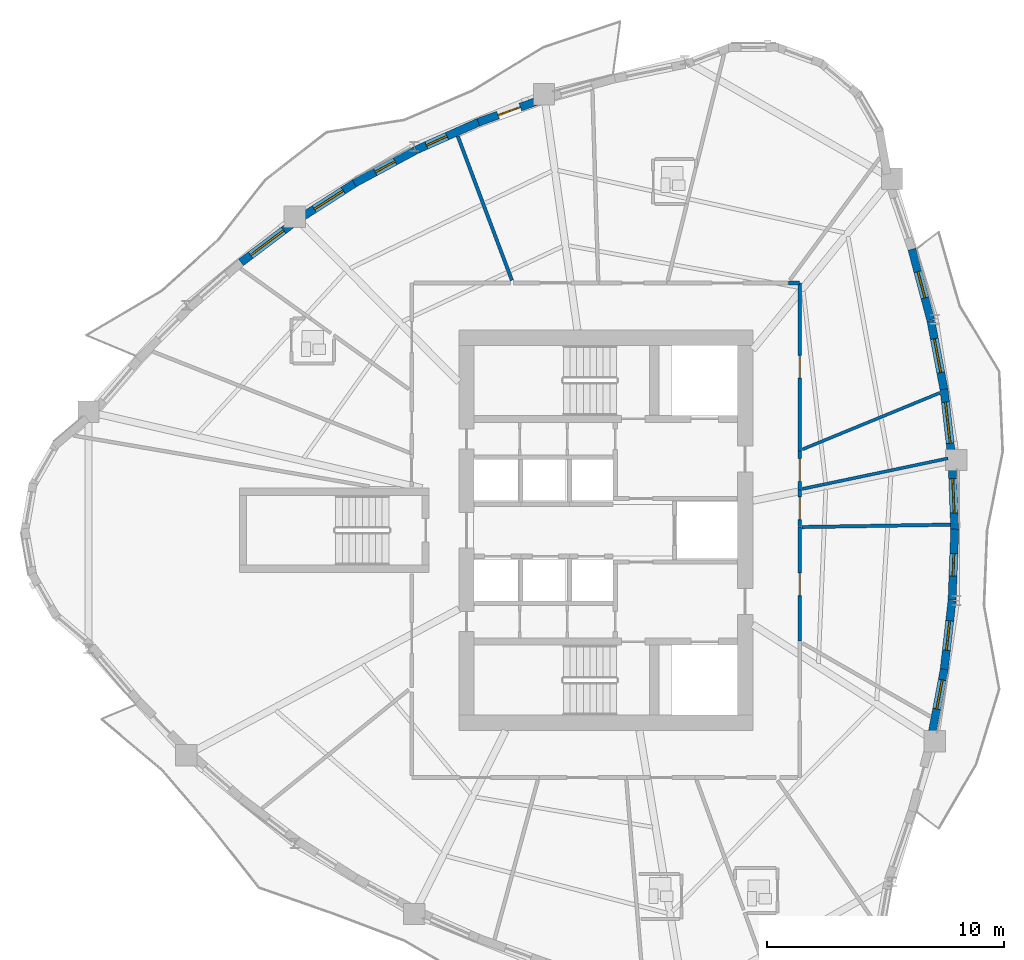
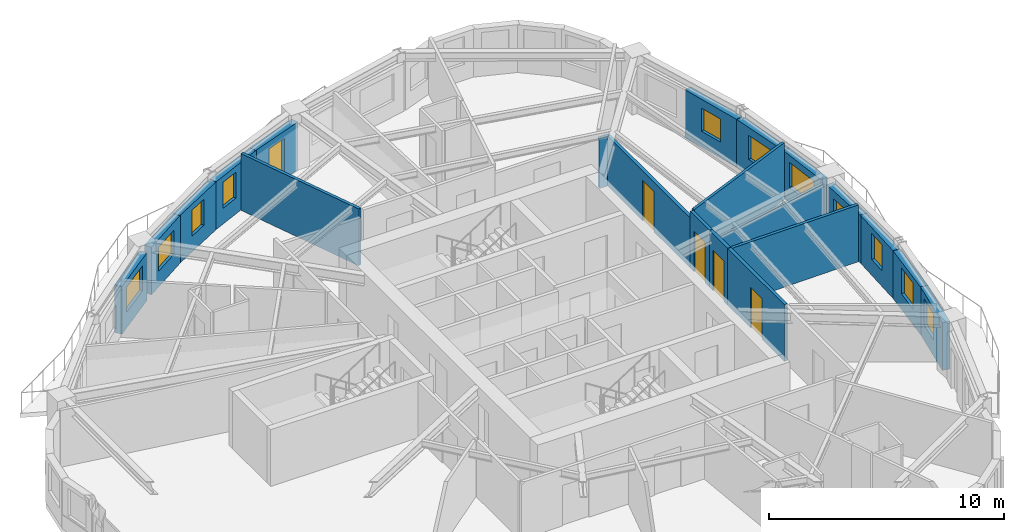
# One storey, part 7 of 12: 21 walls, 11 windows, 5 doors, 16 openings.
"""IFC4 building model written with IfcOpenShell, lengths in metres."""

from ifc_helpers import new_model, si_unit, direction, frame, frame_2d, origin, place, context, subcontext, project, spatial, rectangle, extrude, source, transform, mapped, material, layer, layer_set, type_object, element, fill, save


model = new_model("IFC4")

# Units and contexts
model_context = context("Model", 3, precision=1e-05, world=origin(), true_north=direction((0.0, 1.0)))
body_context = subcontext(model_context, "Body", "Model", "MODEL_VIEW")
ifc_project = project(units=[si_unit("LENGTHUNIT", "METRE"), si_unit("AREAUNIT", "SQUARE_METRE"), si_unit("VOLUMEUNIT", "CUBIC_METRE"), si_unit("PLANEANGLEUNIT", "RADIAN"), si_unit("MASSUNIT", "GRAM", prefix="KILO")], contexts=[model_context])

# Site, building, storey
site_placement = place(None, origin())
site = spatial("IfcSite", under=ifc_project, at=site_placement, CompositionType="ELEMENT")
building_placement = place(site_placement, origin())
building = spatial("IfcBuilding", under=site, at=building_placement, Name="Qafzar Sky-Pleat Residences", CompositionType="ELEMENT")
storey_placement = place(building_placement, frame((0.0, 0.0, 121.60009765625)))
storey = spatial("IfcBuildingStorey", under=building, at=storey_placement, Name="L36", CompositionType="ELEMENT", Elevation=121.60009765625)

# Wall, opening, door
ifc_material_1 = material(Name="Acoustic gypsum plasterboard partition", Category="gypsum")
ifc_layer_1 = layer(ifc_material_1, 0.159912109375)
ifc_layer_set_1 = layer_set([ifc_layer_1], Name="Acoustic gypsum plasterboard partition")
wall_type_1 = type_object("IfcWallType", Name="PART-COR-160", PredefinedType="PARTITIONING", material=ifc_layer_set_1)
wall_1_placement = place(storey_placement, frame((38.530029296875, 36.429931640625, 0.0), z_axis=(0.0, 0.0, 1.0), x_axis=(0.0, -1.0, 0.0)))
wall_1 = element("IfcWall", 1, at=wall_1_placement, inside=storey, type_object=wall_type_1, Name="L36 Partition Wall PART-L36-PW-001", PredefinedType="PARTITIONING", context=body_context, shape_type="SweptSolid", body=[
    extrude(rectangle(XDim=7.0830078125, YDim=0.159912109375, at=frame_2d((3.54150390625, 0.0))), origin(), (0.0, 0.0, 1.0), 2.587890625),
])
opening_1_placement = place(wall_1_placement, frame((3.052978515625, 0.0, 0.0)))
opening_1 = element("IfcOpeningElement", 2, at=opening_1_placement, cuts=wall_1, Name="Opening ID-06", PredefinedType="OPENING", context=body_context, shape_type="SweptSolid", body=[
    extrude(rectangle(XDim=0.9599609375, YDim=2.10009765625, at=frame_2d((0.47998046875, 1.050048828125))), frame((0.0, 0.08984375, 0.0), z_axis=(0.0, -1.0, 0.0), x_axis=(1.0, 0.0, 0.0)), (0.0, 0.0, 1.0), 0.179931640625),
])
ifc_material_2 = material(Name="Timber-faced fire door", Category="wood")
door_type_1 = type_object("IfcDoorType", Name="DR-STD-960", OperationType="NOTDEFINED", PredefinedType="DOOR", material=ifc_material_2)
shared_shape_1 = source(origin(), body_context, "Body", "SweptSolid", [
    extrude(rectangle(XDim=0.9599609375, YDim=2.10009765625, at=frame_2d((0.47998046875, 1.050048828125))), frame((0.0, 0.02490234375, 0.0), z_axis=(0.0, -1.0, 0.0), x_axis=(1.0, 0.0, 0.0)), (0.0, 0.0, 1.0), 0.050048828125),
])
door_1_placement = place(opening_1_placement, origin())
door_1 = element("IfcDoor", 3, at=door_1_placement, inside=storey, type_object=door_type_1, Name="L36 Reading Library Door", OperationType="SINGLE_SWING_LEFT", OverallHeight=2.10009765625, OverallWidth=0.9599609375, PredefinedType="DOOR", context=body_context, shape_type="MappedRepresentation", body=[
    mapped(shared_shape_1, transform((0.0, 0.0, 0.0), x_axis=(1.0, 0.0, 0.0), y_axis=(0.0, 1.0, 0.0), z_axis=(0.0, 0.0, 1.0), scale=1.0)),
])
fill(opening_1, door_1)

wall_2_placement = place(storey_placement, frame((38.530029296875, 26.14697265625, 0.0), z_axis=(0.0, 0.0, 1.0), x_axis=(0.0, -1.0, 0.0)))
wall_2 = element("IfcWall", 4, at=wall_2_placement, inside=storey, type_object=wall_type_1, Name="L36 Partition Wall PART-L36-PW-006", PredefinedType="PARTITIONING", context=body_context, shape_type="SweptSolid", body=[
    extrude(rectangle(XDim=4.81103515625, YDim=0.159912109375, at=frame_2d((2.405517578125, 0.0))), origin(), (0.0, 0.0, 1.0), 2.949951171875),
])
opening_2_placement = place(wall_2_placement, frame((1.948974609375, 0.0, 0.0)))
opening_2 = element("IfcOpeningElement", 5, at=opening_2_placement, cuts=wall_2, Name="Opening ID-06", PredefinedType="OPENING", context=body_context, shape_type="SweptSolid", body=[
    extrude(rectangle(XDim=0.9599609375, YDim=2.10009765625, at=frame_2d((0.47998046875, 1.050048828125))), frame((0.0, 0.08984375, 0.0), z_axis=(0.0, -1.0, 0.0), x_axis=(1.0, 0.0, 0.0)), (0.0, 0.0, 1.0), 0.179931640625),
])
door_2_placement = place(opening_2_placement, origin())
door_2 = element("IfcDoor", 6, at=door_2_placement, inside=storey, type_object=door_type_1, Name="L36 Media Screening Room Door", OperationType="SINGLE_SWING_LEFT", OverallHeight=2.10009765625, OverallWidth=0.9599609375, PredefinedType="DOOR", context=body_context, shape_type="MappedRepresentation", body=[
    mapped(shared_shape_1, transform((0.0, 0.0, 0.0), x_axis=(1.0, 0.0, 0.0), y_axis=(0.0, 1.0, 0.0), z_axis=(0.0, 0.0, 1.0), scale=1.0)),
])
fill(opening_2, door_2)

wall_3_placement = place(storey_placement, frame((38.530029296875, 29.33203125, 0.0), z_axis=(0.0, 0.0, 1.0), x_axis=(0.0, -1.0, 0.0)))
wall_3 = element("IfcWall", 7, at=wall_3_placement, inside=storey, type_object=wall_type_1, Name="L36 Partition Wall PART-L36-PW-018", PredefinedType="PARTITIONING", context=body_context, shape_type="SweptSolid", body=[
    extrude(rectangle(XDim=1.629150390625, YDim=0.159912109375, at=frame_2d((0.814453125, 0.0))), origin(), (0.0, 0.0, 1.0), 2.949951171875),
])
opening_3_placement = place(wall_3_placement, frame((0.31591796875, 0.0, 0.0)))
opening_3 = element("IfcOpeningElement", 8, at=opening_3_placement, cuts=wall_3, Name="Opening ID-08", PredefinedType="OPENING", context=body_context, shape_type="SweptSolid", body=[
    extrude(rectangle(XDim=0.949951171875, YDim=2.10009765625, at=frame_2d((0.47509765625, 1.050048828125))), frame((0.0, 0.08984375, 0.0), z_axis=(0.0, -1.0, 0.0), x_axis=(1.0, 0.0, 0.0)), (0.0, 0.0, 1.0), 0.179931640625),
])
door_type_2 = type_object("IfcDoorType", Name="DR-AWC-950", OperationType="NOTDEFINED", PredefinedType="DOOR", material=ifc_material_2)
shared_shape_2 = source(origin(), body_context, "Body", "SweptSolid", [
    extrude(rectangle(XDim=0.949951171875, YDim=2.10009765625, at=frame_2d((0.47509765625, 1.050048828125))), frame((0.0, 0.02490234375, 0.0), z_axis=(0.0, -1.0, 0.0), x_axis=(1.0, 0.0, 0.0)), (0.0, 0.0, 1.0), 0.050048828125),
])
door_3_placement = place(opening_3_placement, origin())
door_3 = element("IfcDoor", 9, at=door_3_placement, inside=storey, type_object=door_type_2, Name="L36 Accessible Shared Washroom Door", OperationType="SINGLE_SWING_RIGHT", OverallHeight=2.10009765625, OverallWidth=0.949951171875, PredefinedType="DOOR", context=body_context, shape_type="MappedRepresentation", body=[
    mapped(shared_shape_2, transform((0.0, 0.0, 0.0), x_axis=(1.0, 0.0, 0.0), y_axis=(0.0, 1.0, 0.0), z_axis=(0.0, 0.0, 1.0), scale=1.0)),
])
fill(opening_3, door_3)

wall_4_placement = place(storey_placement, frame((38.530029296875, 27.68798828125, 0.0), z_axis=(0.0, 0.0, 1.0), x_axis=(0.0, -1.0, 0.0)))
wall_4 = element("IfcWall", 10, at=wall_4_placement, inside=storey, type_object=wall_type_1, Name="L36 Partition Wall PART-L36-PW-019", PredefinedType="PARTITIONING", context=body_context, shape_type="SweptSolid", body=[
    extrude(rectangle(XDim=1.52587890625, YDim=0.159912109375, at=frame_2d((0.762939453125, 0.0))), origin(), (0.0, 0.0, 1.0), 2.949951171875),
])
opening_4_placement = place(wall_4_placement, frame((0.282958984375, 0.0, 0.0)))
opening_4 = element("IfcOpeningElement", 11, at=opening_4_placement, cuts=wall_4, Name="Opening ID-06", PredefinedType="OPENING", context=body_context, shape_type="SweptSolid", body=[
    extrude(rectangle(XDim=0.9599609375, YDim=2.10009765625, at=frame_2d((0.47998046875, 1.050048828125))), frame((0.0, 0.08984375, 0.0), z_axis=(0.0, -1.0, 0.0), x_axis=(1.0, 0.0, 0.0)), (0.0, 0.0, 1.0), 0.179931640625),
])
door_4_placement = place(opening_4_placement, origin())
door_4 = element("IfcDoor", 12, at=door_4_placement, inside=storey, type_object=door_type_1, Name="L36 Scholar Study Room Door", OperationType="SINGLE_SWING_LEFT", OverallHeight=2.10009765625, OverallWidth=0.9599609375, PredefinedType="DOOR", context=body_context, shape_type="MappedRepresentation", body=[
    mapped(shared_shape_1, transform((0.0, 0.0, 0.0), x_axis=(1.0, 0.0, 0.0), y_axis=(0.0, 1.0, 0.0), z_axis=(0.0, 0.0, 1.0), scale=1.0)),
])
fill(opening_4, door_4)

# Walls
wall_5_placement = place(storey_placement, frame((38.05810546875, 36.429931640625, 0.0), z_axis=(0.0, 0.0, 1.0), x_axis=(1.0, 0.0, 0.0)))
element("IfcWall", 13, at=wall_5_placement, inside=storey, type_object=wall_type_1, Name="L36 Partition Wall PART-L36-PW-056", PredefinedType="PARTITIONING", context=body_context, shape_type="SweptSolid", body=[
    extrude(rectangle(XDim=0.471923828125, YDim=0.159912109375, at=frame_2d((0.23583984375, 0.0))), origin(), (0.0, 0.0, 1.0), 2.587890625),
])
ifc_layer_2 = layer(ifc_material_1, 0.14501953125)
ifc_layer_set_2 = layer_set([ifc_layer_2], Name="Acoustic gypsum plasterboard partition")
wall_type_2 = type_object("IfcWallType", Name="PART-UNIT-145", PredefinedType="PARTITIONING", material=ifc_layer_set_2)
wall_6_placement = place(storey_placement, frame((24.106689453125, 42.621337890625, 0.0), z_axis=(0.0, 0.0, 1.0), x_axis=(0.351605509999, -0.93614826034, 0.0)))
element("IfcWall", 14, at=wall_6_placement, inside=storey, type_object=wall_type_2, Name="L36 Partition Wall PART-L36-PW-028", PredefinedType="PARTITIONING", context=body_context, shape_type="SweptSolid", body=[
    extrude(rectangle(XDim=6.492919921875, YDim=0.14501953125, at=frame_2d((3.24658203125, 0.0))), origin(), (0.0, 0.0, 1.0), 2.949951171875),
])
wall_7_placement = place(storey_placement, frame((38.619140625, 26.13330078125, 0.0), z_axis=(0.0, 0.0, 1.0), x_axis=(0.999869130012, 0.016177850558, 0.0)))
element("IfcWall", 15, at=wall_7_placement, inside=storey, type_object=wall_type_2, Name="L36 Partition Wall PART-L36-PW-033", PredefinedType="PARTITIONING", context=body_context, shape_type="SweptSolid", body=[
    extrude(rectangle(XDim=6.2626953125, YDim=0.14501953125, at=frame_2d((3.13134765625, 0.0))), origin(), (0.0, 0.0, 1.0), 2.949951171875),
])
ifc_material_3 = material(Name="Moisture-resistant gypsum partition", Category="gypsum")
ifc_layer_3 = layer(ifc_material_3, 0.1298828125)
ifc_layer_set_3 = layer_set([ifc_layer_3], Name="Moisture-resistant gypsum partition")
wall_type_3 = type_object("IfcWallType", Name="PART-WET-130", PredefinedType="PARTITIONING", material=ifc_layer_set_3)
wall_8_placement = place(storey_placement, frame((38.64208984375, 29.41015625, 0.0), z_axis=(0.0, 0.0, 1.0), x_axis=(0.924865201518, 0.380295094659, 0.0)))
element("IfcWall", 16, at=wall_8_placement, inside=storey, type_object=wall_type_3, Name="L36 Partition Wall PART-L36-PW-030", PredefinedType="PARTITIONING", context=body_context, shape_type="SweptSolid", body=[
    extrude(rectangle(XDim=6.265625, YDim=0.1298828125, at=frame_2d((3.1328125, 0.0))), origin(), (0.0, 0.0, 1.0), 2.949951171875),
])
wall_9_placement = place(storey_placement, frame((38.631103515625, 27.7392578125, 0.0), z_axis=(0.0, 0.0, 1.0), x_axis=(0.978654667538, 0.205511658323, 0.0)))
element("IfcWall", 17, at=wall_9_placement, inside=storey, type_object=wall_type_3, Name="L36 Partition Wall PART-L36-PW-032", PredefinedType="PARTITIONING", context=body_context, shape_type="SweptSolid", body=[
    extrude(rectangle(XDim=6.290283203125, YDim=0.1298828125, at=frame_2d((3.14501953125, 0.0))), origin(), (0.0, 0.0, 1.0), 2.367919921875),
])

# Wall, opening, window
ifc_material_4 = material(Name="Precast concrete C40/50 with honed Riyadh limestone", Category="concrete")
ifc_layer_4 = layer(ifc_material_4, 0.340087890625)
ifc_layer_set_4 = layer_set([ifc_layer_4], Name="Precast concrete C40/50 with honed Riyadh limestone")
wall_type_4 = type_object("IfcWallType", Name="WALL-EXT-340", PredefinedType="SOLIDWALL", material=ifc_layer_set_4)
wall_10_placement = place(storey_placement, frame((44.101318359375, 17.361083984375, 0.0), z_axis=(0.0, 0.0, 1.0), x_axis=(0.186739007234, 0.982409559795, 0.0)))
wall_10 = element("IfcWall", 18, at=wall_10_placement, inside=storey, type_object=wall_type_4, Name="L36 Limestone Facade Wall 25", PredefinedType="SOLIDWALL", context=body_context, shape_type="SweptSolid", body=[
    extrude(rectangle(XDim=2.82666015625, YDim=0.340087890625, at=frame_2d((1.413330078125, 0.0))), origin(), (0.0, 0.0, 1.0), 2.47998046875),
])
opening_5_placement = place(wall_10_placement, frame((1.117919921875, 0.0, 0.820068359375)))
opening_5 = element("IfcOpeningElement", 19, at=opening_5_placement, cuts=wall_10, Name="Opening WN-11", PredefinedType="OPENING", context=body_context, shape_type="SweptSolid", body=[
    extrude(rectangle(XDim=1.25, YDim=1.35009765625, at=frame_2d((0.625, 0.675048828125))), frame((0.0, 0.18017578125, 0.0), z_axis=(0.0, -1.0, 0.0), x_axis=(1.0, 0.0, 0.0)), (0.0, 0.0, 1.0), 0.360107421875),
])
ifc_material_5 = material(Name="Solar-control low-E glass in bronze aluminium frame", Category="glass")
window_type_1 = type_object("IfcWindowType", Name="WIN-11", PartitioningType="SINGLE_PANEL", PredefinedType="WINDOW", material=ifc_material_5)
shared_shape_3 = source(origin(), body_context, "Body", "SweptSolid", [
    extrude(rectangle(XDim=1.25, YDim=1.35009765625, at=frame_2d((0.625, 0.675048828125))), frame((0.0, 0.030029296875, 0.0), z_axis=(0.0, -1.0, 0.0), x_axis=(1.0, 0.0, 0.0)), (0.0, 0.0, 1.0), 0.06005859375),
])
window_1_placement = place(opening_5_placement, origin())
window_1 = element("IfcWindow", 20, at=window_1_placement, inside=storey, type_object=window_type_1, Name="L36 Punched Facade Window 25-2", OverallHeight=1.35009765625, OverallWidth=1.25, PartitioningType="SINGLE_PANEL", PredefinedType="WINDOW", context=body_context, shape_type="MappedRepresentation", body=[
    mapped(shared_shape_3, transform((0.0, 0.0, 0.0), x_axis=(1.0, 0.0, 0.0), y_axis=(0.0, 1.0, 0.0), z_axis=(0.0, 0.0, 1.0), scale=1.0)),
])
fill(opening_5, window_1)

wall_11_placement = place(storey_placement, frame((44.61572265625, 20.05029296875, 0.0), z_axis=(0.0, 0.0, 1.0), x_axis=(0.113250801133, 0.993566432627, 0.0)))
wall_11 = element("IfcWall", 21, at=wall_11_placement, inside=storey, type_object=wall_type_4, Name="L36 Limestone Facade Wall 26", PredefinedType="SOLIDWALL", context=body_context, shape_type="SweptSolid", body=[
    extrude(rectangle(XDim=3.0029296875, YDim=0.340087890625, at=frame_2d((1.50146484375, 0.0))), origin(), (0.0, 0.0, 1.0), 2.47998046875),
])
opening_6_placement = place(wall_11_placement, frame((0.886474609375, 0.0, 0.820068359375)))
opening_6 = element("IfcOpeningElement", 22, at=opening_6_placement, cuts=wall_11, Name="Opening WN-11", PredefinedType="OPENING", context=body_context, shape_type="SweptSolid", body=[
    extrude(rectangle(XDim=1.25, YDim=1.35009765625, at=frame_2d((0.625, 0.675048828125))), frame((0.0, 0.18017578125, 0.0), z_axis=(0.0, -1.0, 0.0), x_axis=(1.0, 0.0, 0.0)), (0.0, 0.0, 1.0), 0.360107421875),
])
window_2_placement = place(opening_6_placement, origin())
window_2 = element("IfcWindow", 23, at=window_2_placement, inside=storey, type_object=window_type_1, Name="L36 Punched Facade Window 26", OverallHeight=1.35009765625, OverallWidth=1.25, PartitioningType="SINGLE_PANEL", PredefinedType="WINDOW", context=body_context, shape_type="MappedRepresentation", body=[
    mapped(shared_shape_3, transform((0.0, 0.0, 0.0), x_axis=(1.0, 0.0, 0.0), y_axis=(0.0, 1.0, 0.0), z_axis=(0.0, 0.0, 1.0), scale=1.0)),
])
fill(opening_6, window_2)

wall_12_placement = place(storey_placement, frame((44.9580078125, 23.060791015625, 0.0), z_axis=(0.0, 0.0, 1.0), x_axis=(0.037940097137, 0.999280015326, 0.0)))
wall_12 = element("IfcWall", 24, at=wall_12_placement, inside=storey, type_object=wall_type_4, Name="L36 Limestone Facade Wall 27", PredefinedType="SOLIDWALL", context=body_context, shape_type="SweptSolid", body=[
    extrude(rectangle(XDim=2.98583984375, YDim=0.340087890625, at=frame_2d((1.492919921875, 0.0))), origin(), (0.0, 0.0, 1.0), 2.47998046875),
])
opening_7_placement = place(wall_12_placement, frame((1.0078125, 0.0, 0.820068359375)))
opening_7 = element("IfcOpeningElement", 25, at=opening_7_placement, cuts=wall_12, Name="Opening WN-12", PredefinedType="OPENING", context=body_context, shape_type="SweptSolid", body=[
    extrude(rectangle(XDim=0.949951171875, YDim=1.35009765625, at=frame_2d((0.47509765625, 0.675048828125))), frame((0.0, 0.18017578125, 0.0), z_axis=(0.0, -1.0, 0.0), x_axis=(1.0, 0.0, 0.0)), (0.0, 0.0, 1.0), 0.360107421875),
])
window_type_2 = type_object("IfcWindowType", Name="WIN-12", PartitioningType="SINGLE_PANEL", PredefinedType="WINDOW", material=ifc_material_5)
shared_shape_4 = source(origin(), body_context, "Body", "SweptSolid", [
    extrude(rectangle(XDim=0.949951171875, YDim=1.35009765625, at=frame_2d((0.47509765625, 0.675048828125))), frame((0.0, 0.030029296875, 0.0), z_axis=(0.0, -1.0, 0.0), x_axis=(1.0, 0.0, 0.0)), (0.0, 0.0, 1.0), 0.06005859375),
])
window_3_placement = place(opening_7_placement, origin())
window_3 = element("IfcWindow", 26, at=window_3_placement, inside=storey, type_object=window_type_2, Name="L36 Punched Facade Window 27", OverallHeight=1.35009765625, OverallWidth=0.949951171875, PartitioningType="SINGLE_PANEL", PredefinedType="WINDOW", context=body_context, shape_type="MappedRepresentation", body=[
    mapped(shared_shape_4, transform((0.0, 0.0, 0.0), x_axis=(1.0, 0.0, 0.0), y_axis=(0.0, 1.0, 0.0), z_axis=(0.0, 0.0, 1.0), scale=1.0)),
])
fill(opening_7, window_3)

wall_13_placement = place(storey_placement, frame((45.0712890625, 25.95556640625, 0.0), z_axis=(0.0, 0.0, 1.0), x_axis=(-0.037997361734, 0.999277839493, 0.0)))
wall_13 = element("IfcWall", 27, at=wall_13_placement, inside=storey, type_object=wall_type_4, Name="L36 Limestone Facade Wall 28", PredefinedType="SOLIDWALL", context=body_context, shape_type="SweptSolid", body=[
    extrude(rectangle(XDim=2.775634765625, YDim=0.340087890625, at=frame_2d((1.3876953125, 0.0))), origin(), (0.0, 0.0, 1.0), 2.47998046875),
])
opening_8_placement = place(wall_13_placement, frame((0.7705078125, 0.0, 0.820068359375)))
opening_8 = element("IfcOpeningElement", 28, at=opening_8_placement, cuts=wall_13, Name="Opening WN-15", PredefinedType="OPENING", context=body_context, shape_type="SweptSolid", body=[
    extrude(rectangle(XDim=1.449951171875, YDim=1.25, at=frame_2d((0.72509765625, 0.625))), frame((0.0, 0.18017578125, 0.0), z_axis=(0.0, -1.0, 0.0), x_axis=(1.0, 0.0, 0.0)), (0.0, 0.0, 1.0), 0.360107421875),
])
window_type_3 = type_object("IfcWindowType", Name="WIN-15", PartitioningType="SINGLE_PANEL", PredefinedType="WINDOW", material=ifc_material_5)
shared_shape_5 = source(origin(), body_context, "Body", "SweptSolid", [
    extrude(rectangle(XDim=1.449951171875, YDim=1.25, at=frame_2d((0.72509765625, 0.625))), frame((0.0, 0.030029296875, 0.0), z_axis=(0.0, -1.0, 0.0), x_axis=(1.0, 0.0, 0.0)), (0.0, 0.0, 1.0), 0.06005859375),
])
window_4_placement = place(opening_8_placement, origin())
window_4 = element("IfcWindow", 29, at=window_4_placement, inside=storey, type_object=window_type_3, Name="L36 Punched Facade Window 28", OverallHeight=1.25, OverallWidth=1.449951171875, PartitioningType="SINGLE_PANEL", PredefinedType="WINDOW", context=body_context, shape_type="MappedRepresentation", body=[
    mapped(shared_shape_5, transform((0.0, 0.0, 0.0), x_axis=(1.0, 0.0, 0.0), y_axis=(0.0, 1.0, 0.0), z_axis=(0.0, 0.0, 1.0), scale=1.0)),
])
fill(opening_8, window_4)

wall_14_placement = place(storey_placement, frame((44.93212890625, 29.1748046875, 0.0), z_axis=(0.0, 0.0, 1.0), x_axis=(-0.113290188042, 0.993561942354, 0.0)))
wall_14 = element("IfcWall", 30, at=wall_14_placement, inside=storey, type_object=wall_type_4, Name="L36 Limestone Facade Wall 29", PredefinedType="SOLIDWALL", context=body_context, shape_type="SweptSolid", body=[
    extrude(rectangle(XDim=2.79296875, YDim=0.340087890625, at=frame_2d((1.396484375, 0.0))), origin(), (0.0, 0.0, 1.0), 2.47998046875),
])
opening_9_placement = place(wall_14_placement, frame((0.493408203125, 0.0, 0.820068359375)))
opening_9 = element("IfcOpeningElement", 31, at=opening_9_placement, cuts=wall_14, Name="Opening WN-14", PredefinedType="OPENING", context=body_context, shape_type="SweptSolid", body=[
    extrude(rectangle(XDim=1.75, YDim=1.300048828125, at=frame_2d((0.875, 0.64990234375))), frame((0.0, 0.18017578125, 0.0), z_axis=(0.0, -1.0, 0.0), x_axis=(1.0, 0.0, 0.0)), (0.0, 0.0, 1.0), 0.360107421875),
])
window_type_4 = type_object("IfcWindowType", Name="WIN-14", PartitioningType="DOUBLE_PANEL_VERTICAL", PredefinedType="WINDOW", material=ifc_material_5)
shared_shape_6 = source(origin(), body_context, "Body", "SweptSolid", [
    extrude(rectangle(XDim=1.75, YDim=1.300048828125, at=frame_2d((0.875, 0.64990234375))), frame((0.0, 0.030029296875, 0.0), z_axis=(0.0, -1.0, 0.0), x_axis=(1.0, 0.0, 0.0)), (0.0, 0.0, 1.0), 0.06005859375),
])
window_5_placement = place(opening_9_placement, origin())
window_5 = element("IfcWindow", 32, at=window_5_placement, inside=storey, type_object=window_type_4, Name="L36 Punched Facade Window 29", OverallHeight=1.300048828125, OverallWidth=1.75, PartitioningType="SINGLE_PANEL", PredefinedType="WINDOW", context=body_context, shape_type="MappedRepresentation", body=[
    mapped(shared_shape_6, transform((0.0, 0.0, 0.0), x_axis=(1.0, 0.0, 0.0), y_axis=(0.0, 1.0, 0.0), z_axis=(0.0, 0.0, 1.0), scale=1.0)),
])
fill(opening_9, window_5)

wall_15_placement = place(storey_placement, frame((44.629150390625, 31.862060546875, 0.0), z_axis=(0.0, 0.0, 1.0), x_axis=(-0.186690909565, 0.982418701108, 0.0)))
wall_15 = element("IfcWall", 33, at=wall_15_placement, inside=storey, type_object=wall_type_4, Name="L36 Limestone Facade Wall 30", PredefinedType="SOLIDWALL", context=body_context, shape_type="SweptSolid", body=[
    extrude(rectangle(XDim=3.03662109375, YDim=0.340087890625, at=frame_2d((1.518310546875, 0.0))), origin(), (0.0, 0.0, 1.0), 2.47998046875),
])
opening_10_placement = place(wall_15_placement, frame((0.80322265625, 0.0, 0.820068359375)))
opening_10 = element("IfcOpeningElement", 34, at=opening_10_placement, cuts=wall_15, Name="Opening WN-15", PredefinedType="OPENING", context=body_context, shape_type="SweptSolid", body=[
    extrude(rectangle(XDim=1.449951171875, YDim=1.25, at=frame_2d((0.72509765625, 0.625))), frame((0.0, 0.18017578125, 0.0), z_axis=(0.0, -1.0, 0.0), x_axis=(1.0, 0.0, 0.0)), (0.0, 0.0, 1.0), 0.360107421875),
])
window_6_placement = place(opening_10_placement, origin())
window_6 = element("IfcWindow", 35, at=window_6_placement, inside=storey, type_object=window_type_3, Name="L36 Punched Facade Window 30", OverallHeight=1.25, OverallWidth=1.449951171875, PartitioningType="SINGLE_PANEL", PredefinedType="WINDOW", context=body_context, shape_type="MappedRepresentation", body=[
    mapped(shared_shape_5, transform((0.0, 0.0, 0.0), x_axis=(1.0, 0.0, 0.0), y_axis=(0.0, 1.0, 0.0), z_axis=(0.0, 0.0, 1.0), scale=1.0)),
])
fill(opening_10, window_6)

wall_16_placement = place(storey_placement, frame((44.05615234375, 34.872314453125, 0.0), z_axis=(0.0, 0.0, 1.0), x_axis=(-0.257081647056, 0.966389686797, 0.0)))
wall_16 = element("IfcWall", 36, at=wall_16_placement, inside=storey, type_object=wall_type_4, Name="L36 Limestone Facade Wall 31", PredefinedType="SOLIDWALL", context=body_context, shape_type="SweptSolid", body=[
    extrude(rectangle(XDim=3.08642578125, YDim=0.340087890625, at=frame_2d((1.543212890625, 0.0))), origin(), (0.0, 0.0, 1.0), 2.47998046875),
])
opening_11_placement = place(wall_16_placement, frame((0.958251953125, 0.0, 0.820068359375)))
opening_11 = element("IfcOpeningElement", 37, at=opening_11_placement, cuts=wall_16, Name="Opening WN-16", PredefinedType="OPENING", context=body_context, shape_type="SweptSolid", body=[
    extrude(rectangle(XDim=1.14990234375, YDim=1.199951171875, at=frame_2d((0.574951171875, 0.60009765625))), frame((0.0, 0.18017578125, 0.0), z_axis=(0.0, -1.0, 0.0), x_axis=(1.0, 0.0, 0.0)), (0.0, 0.0, 1.0), 0.360107421875),
])
window_type_5 = type_object("IfcWindowType", Name="WIN-16", PartitioningType="SINGLE_PANEL", PredefinedType="WINDOW", material=ifc_material_5)
shared_shape_7 = source(origin(), body_context, "Body", "SweptSolid", [
    extrude(rectangle(XDim=1.14990234375, YDim=1.199951171875, at=frame_2d((0.574951171875, 0.60009765625))), frame((0.0, 0.030029296875, 0.0), z_axis=(0.0, -1.0, 0.0), x_axis=(1.0, 0.0, 0.0)), (0.0, 0.0, 1.0), 0.06005859375),
])
window_7_placement = place(opening_11_placement, origin())
window_7 = element("IfcWindow", 38, at=window_7_placement, inside=storey, type_object=window_type_5, Name="L36 Punched Facade Window 31", OverallHeight=1.199951171875, OverallWidth=1.14990234375, PartitioningType="SINGLE_PANEL", PredefinedType="WINDOW", context=body_context, shape_type="MappedRepresentation", body=[
    mapped(shared_shape_7, transform((0.0, 0.0, 0.0), x_axis=(1.0, 0.0, 0.0), y_axis=(0.0, 1.0, 0.0), z_axis=(0.0, 0.0, 1.0), scale=1.0)),
])
fill(opening_11, window_7)

# Wall, opening, door
wall_17_placement = place(storey_placement, frame((27.58642578125, 44.1494140625, 0.0), z_axis=(0.0, 0.0, 1.0), x_axis=(-0.941112277287, -0.338094190338, 0.0)))
wall_17 = element("IfcWall", 39, at=wall_17_placement, inside=storey, type_object=wall_type_4, Name="L36 Limestone Facade Wall 41", PredefinedType="SOLIDWALL", context=body_context, shape_type="SweptSolid", body=[
    extrude(rectangle(XDim=2.779296875, YDim=0.340087890625, at=frame_2d((1.3896484375, 0.0))), origin(), (0.0, 0.0, 1.0), 2.47998046875),
])
opening_12_placement = place(wall_17_placement, frame((0.889892578125, 0.0, 0.0)))
opening_12 = element("IfcOpeningElement", 40, at=opening_12_placement, cuts=wall_17, Name="Opening ED-05", PredefinedType="OPENING", context=body_context, shape_type="SweptSolid", body=[
    extrude(rectangle(XDim=1.0, YDim=2.10009765625, at=frame_2d((0.5, 1.050048828125))), frame((0.0, 0.18017578125, 0.0), z_axis=(0.0, -1.0, 0.0), x_axis=(1.0, 0.0, 0.0)), (0.0, 0.0, 1.0), 0.360107421875),
])
ifc_material_6 = material(Name="Glazed bronze aluminium door", Category="aluminium")
door_type_3 = type_object("IfcDoorType", Name="DR-BAL-1000", OperationType="NOTDEFINED", PredefinedType="DOOR", material=ifc_material_6)
shared_shape_8 = source(origin(), body_context, "Body", "SweptSolid", [
    extrude(rectangle(XDim=1.0, YDim=2.10009765625, at=frame_2d((0.5, 1.050048828125))), frame((0.0, 0.02490234375, 0.0), z_axis=(0.0, -1.0, 0.0), x_axis=(1.0, 0.0, 0.0)), (0.0, 0.0, 1.0), 0.050048828125),
])
door_5_placement = place(opening_12_placement, origin())
door_5 = element("IfcDoor", 41, at=door_5_placement, inside=storey, type_object=door_type_3, Name="L36 Glazed Balcony Door 2", OperationType="SINGLE_SWING_LEFT", OverallHeight=2.10009765625, OverallWidth=1.0, PredefinedType="DOOR", context=body_context, shape_type="MappedRepresentation", body=[
    mapped(shared_shape_8, transform((0.0, 0.0, 0.0), x_axis=(1.0, 0.0, 0.0), y_axis=(0.0, 1.0, 0.0), z_axis=(0.0, 0.0, 1.0), scale=1.0)),
])
fill(opening_12, door_5)

# Wall, opening, window
wall_18_placement = place(storey_placement, frame((25.052978515625, 43.24267578125, 0.0), z_axis=(0.0, 0.0, 1.0), x_axis=(-0.91339900063, -0.407065431655, 0.0)))
wall_18 = element("IfcWall", 42, at=wall_18_placement, inside=storey, type_object=wall_type_4, Name="L36 Limestone Facade Wall 42", PredefinedType="SOLIDWALL", context=body_context, shape_type="SweptSolid", body=[
    extrude(rectangle(XDim=2.956298828125, YDim=0.340087890625, at=frame_2d((1.47802734375, 0.0))), origin(), (0.0, 0.0, 1.0), 2.47998046875),
])
opening_13_placement = place(wall_18_placement, frame((1.53125, 0.0, 0.820068359375)))
opening_13 = element("IfcOpeningElement", 43, at=opening_13_placement, cuts=wall_18, Name="Opening WN-12", PredefinedType="OPENING", context=body_context, shape_type="SweptSolid", body=[
    extrude(rectangle(XDim=0.949951171875, YDim=1.35009765625, at=frame_2d((0.47509765625, 0.675048828125))), frame((0.0, 0.18017578125, 0.0), z_axis=(0.0, -1.0, 0.0), x_axis=(1.0, 0.0, 0.0)), (0.0, 0.0, 1.0), 0.360107421875),
])
window_8_placement = place(opening_13_placement, origin())
window_8 = element("IfcWindow", 44, at=window_8_placement, inside=storey, type_object=window_type_2, Name="L36 Punched Facade Window 42-2", OverallHeight=1.35009765625, OverallWidth=0.949951171875, PartitioningType="SINGLE_PANEL", PredefinedType="WINDOW", context=body_context, shape_type="MappedRepresentation", body=[
    mapped(shared_shape_4, transform((0.0, 0.0, 0.0), x_axis=(1.0, 0.0, 0.0), y_axis=(0.0, 1.0, 0.0), z_axis=(0.0, 0.0, 1.0), scale=1.0)),
])
fill(opening_13, window_8)

wall_19_placement = place(storey_placement, frame((22.328369140625, 42.027099609375, 0.0), z_axis=(0.0, 0.0, 1.0), x_axis=(-0.880092136679, -0.474802939077, 0.0)))
wall_19 = element("IfcWall", 45, at=wall_19_placement, inside=storey, type_object=wall_type_4, Name="L36 Limestone Facade Wall 43", PredefinedType="SOLIDWALL", context=body_context, shape_type="SweptSolid", body=[
    extrude(rectangle(XDim=2.939697265625, YDim=0.340087890625, at=frame_2d((1.4697265625, 0.0))), origin(), (0.0, 0.0, 1.0), 2.47998046875),
])
opening_14_placement = place(wall_19_placement, frame((0.98486328125, 0.0, 0.820068359375)))
opening_14 = element("IfcOpeningElement", 46, at=opening_14_placement, cuts=wall_19, Name="Opening WN-12", PredefinedType="OPENING", context=body_context, shape_type="SweptSolid", body=[
    extrude(rectangle(XDim=0.949951171875, YDim=1.35009765625, at=frame_2d((0.47509765625, 0.675048828125))), frame((0.0, 0.18017578125, 0.0), z_axis=(0.0, -1.0, 0.0), x_axis=(1.0, 0.0, 0.0)), (0.0, 0.0, 1.0), 0.360107421875),
])
window_9_placement = place(opening_14_placement, origin())
window_9 = element("IfcWindow", 47, at=window_9_placement, inside=storey, type_object=window_type_2, Name="L36 Punched Facade Window 43", OverallHeight=1.35009765625, OverallWidth=0.949951171875, PartitioningType="SINGLE_PANEL", PredefinedType="WINDOW", context=body_context, shape_type="MappedRepresentation", body=[
    mapped(shared_shape_4, transform((0.0, 0.0, 0.0), x_axis=(1.0, 0.0, 0.0), y_axis=(0.0, 1.0, 0.0), z_axis=(0.0, 0.0, 1.0), scale=1.0)),
])
fill(opening_14, window_9)

wall_20_placement = place(storey_placement, frame((19.81787109375, 40.676513671875, 0.0), z_axis=(0.0, 0.0, 1.0), x_axis=(-0.841503814414, -0.540251173369, 0.0)))
wall_20 = element("IfcWall", 48, at=wall_20_placement, inside=storey, type_object=wall_type_4, Name="L36 Limestone Facade Wall 44", PredefinedType="SOLIDWALL", context=body_context, shape_type="SweptSolid", body=[
    extrude(rectangle(XDim=2.7294921875, YDim=0.340087890625, at=frame_2d((1.36474609375, 0.0))), origin(), (0.0, 0.0, 1.0), 2.47998046875),
])
opening_15_placement = place(wall_20_placement, frame((0.644775390625, 0.0, 0.820068359375)))
opening_15 = element("IfcOpeningElement", 49, at=opening_15_placement, cuts=wall_20, Name="Opening WN-15", PredefinedType="OPENING", context=body_context, shape_type="SweptSolid", body=[
    extrude(rectangle(XDim=1.449951171875, YDim=1.25, at=frame_2d((0.72509765625, 0.625))), frame((0.0, 0.18017578125, 0.0), z_axis=(0.0, -1.0, 0.0), x_axis=(1.0, 0.0, 0.0)), (0.0, 0.0, 1.0), 0.360107421875),
])
window_10_placement = place(opening_15_placement, origin())
window_10 = element("IfcWindow", 50, at=window_10_placement, inside=storey, type_object=window_type_3, Name="L36 Punched Facade Window 44", OverallHeight=1.25, OverallWidth=1.449951171875, PartitioningType="SINGLE_PANEL", PredefinedType="WINDOW", context=body_context, shape_type="MappedRepresentation", body=[
    mapped(shared_shape_5, transform((0.0, 0.0, 0.0), x_axis=(1.0, 0.0, 0.0), y_axis=(0.0, 1.0, 0.0), z_axis=(0.0, 0.0, 1.0), scale=1.0)),
])
fill(opening_15, window_10)

wall_21_placement = place(storey_placement, frame((17.154296875, 38.946533203125, 0.0), z_axis=(0.0, 0.0, 1.0), x_axis=(-0.798332692302, -0.602216665663, 0.0)))
wall_21 = element("IfcWall", 51, at=wall_21_placement, inside=storey, type_object=wall_type_4, Name="L36 Limestone Facade Wall 45", PredefinedType="SOLIDWALL", context=body_context, shape_type="SweptSolid", body=[
    extrude(rectangle(XDim=2.74609375, YDim=0.340087890625, at=frame_2d((1.373046875, 0.0))), origin(), (0.0, 0.0, 1.0), 2.47998046875),
])
opening_16_placement = place(wall_21_placement, frame((0.4931640625, 0.0, 0.820068359375)))
opening_16 = element("IfcOpeningElement", 52, at=opening_16_placement, cuts=wall_21, Name="Opening WN-14", PredefinedType="OPENING", context=body_context, shape_type="SweptSolid", body=[
    extrude(rectangle(XDim=1.75, YDim=1.300048828125, at=frame_2d((0.875, 0.64990234375))), frame((0.0, 0.18017578125, 0.0), z_axis=(0.0, -1.0, 0.0), x_axis=(1.0, 0.0, 0.0)), (0.0, 0.0, 1.0), 0.360107421875),
])
window_11_placement = place(opening_16_placement, origin())
window_11 = element("IfcWindow", 53, at=window_11_placement, inside=storey, type_object=window_type_4, Name="L36 Punched Facade Window 45", OverallHeight=1.300048828125, OverallWidth=1.75, PartitioningType="SINGLE_PANEL", PredefinedType="WINDOW", context=body_context, shape_type="MappedRepresentation", body=[
    mapped(shared_shape_6, transform((0.0, 0.0, 0.0), x_axis=(1.0, 0.0, 0.0), y_axis=(0.0, 1.0, 0.0), z_axis=(0.0, 0.0, 1.0), scale=1.0)),
])
fill(opening_16, window_11)

save(model, "model.ifc")
